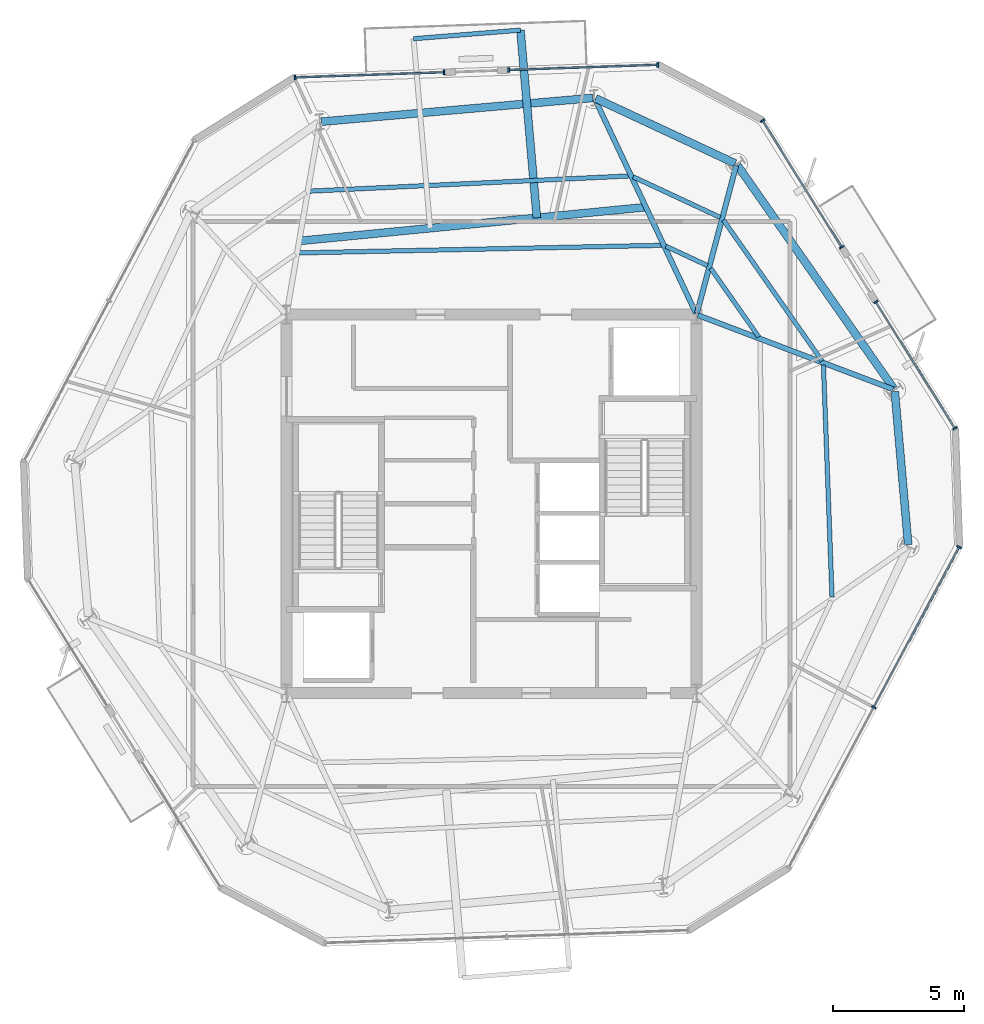
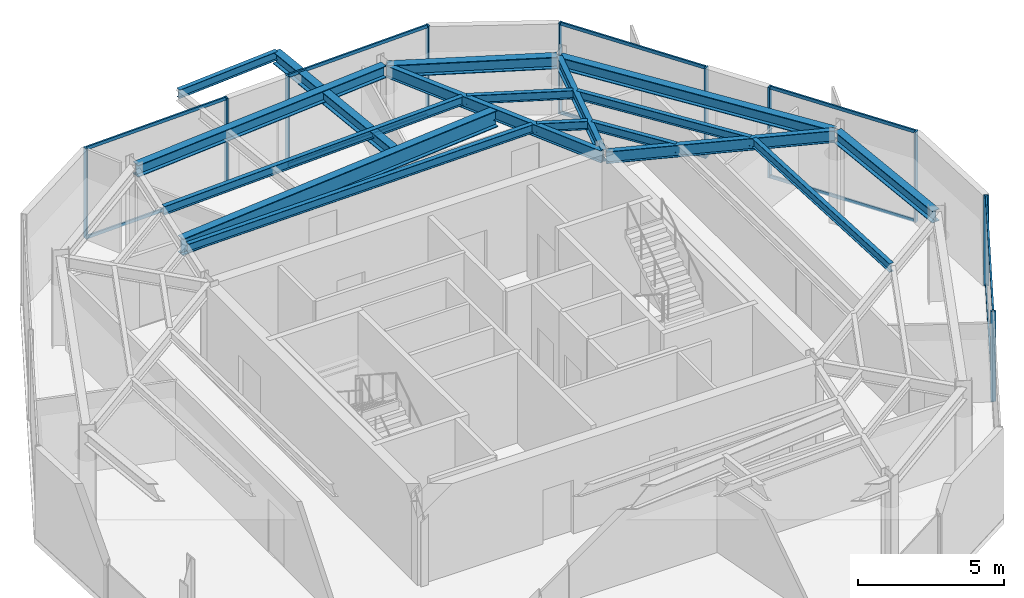
# One storey, part 4 of 11: 20 members, 17 beams, 5 elements without a shape of their own.
"""IFC4 building model written with IfcOpenShell, lengths in metres."""

from ifc_helpers import new_model, si_unit, direction, frame, origin, origin_2d, place, context, subcontext, project, spatial, rectangle, i_section, extrude, material, layer, layer_set, material_profile, profile_set, type_object, element, aggregate, save


model = new_model("IFC4")

# Units and contexts
model_context = context("Model", 3, precision=1e-05, world=origin(), true_north=direction((0.0, 1.0)))
body_context = subcontext(model_context, "Body", "Model", "MODEL_VIEW")
ifc_project = project(units=[si_unit("LENGTHUNIT", "METRE"), si_unit("AREAUNIT", "SQUARE_METRE"), si_unit("VOLUMEUNIT", "CUBIC_METRE"), si_unit("PLANEANGLEUNIT", "RADIAN"), si_unit("MASSUNIT", "GRAM", prefix="KILO")], contexts=[model_context])

# Site, building, storey
site_placement = place(None, origin())
site = spatial("IfcSite", under=ifc_project, at=site_placement, CompositionType="ELEMENT")
building_placement = place(site_placement, origin())
building = spatial("IfcBuilding", under=site, at=building_placement, Name="Kranzbogen Civic Tower", CompositionType="ELEMENT")
storey_placement = place(building_placement, frame((0.0, 0.0, 274.199951171875)))
storey = spatial("IfcBuildingStorey", under=building, at=storey_placement, Name="L66", CompositionType="ELEMENT", Elevation=274.199951171875)

# Curtain wall, members
ifc_material_1 = material(Name="Pale Anodised Aluminium", Category="aluminium")
ifc_layer = layer(ifc_material_1, 0.219970703125, Name="Pale Anodised Aluminium")
ifc_layer_set = layer_set([ifc_layer], Name="Pale Anodised Aluminium")
curtain_wall_type = type_object("IfcCurtainWallType", Name="Zone 4 Stick Curtain Wall System CW-05", PredefinedType="USERDEFINED", material=ifc_layer_set)
curtain_wall_1_placement = place(storey_placement, origin())
curtain_wall_1 = element("IfcCurtainWall", 1, at=curtain_wall_1_placement, inside=storey, type_object=curtain_wall_type, Name="L66 curtain wall CW-L66-F1-S1", ObjectType="STICK CURTAIN WALL", PredefinedType="USERDEFINED")
ifc_material_profile_1 = material_profile(ifc_material_1, rectangle(XDim=0.06494140625, YDim=0.179931640625, at=origin_2d()), Name="ALU-M 65x180")
ifc_profile_set_1 = profile_set([ifc_material_profile_1], Name="Pale Anodised Aluminium")
member_type_1 = type_object("IfcMemberType", Name="Curtain Wall Mullion ALU-M 65x180", PredefinedType="MULLION", material=ifc_profile_set_1)
member_1_placement = place(storey_placement, frame((31.322021484375, 41.701904296875, 0.0), z_axis=(0.0, 0.0, 1.0), x_axis=(-0.999390986249, -0.034894936667, 0.0)))
member_1 = element("IfcMember", 2, at=member_1_placement, type_object=member_type_1, Name="CW-05 mullion 1", PredefinedType="MULLION", context=body_context, shape_type="SweptSolid", body=[
    extrude(rectangle(XDim=0.06494140625, YDim=0.179931640625, at=origin_2d()), origin(), (0.0, 0.0, 1.0), 3.780029296875),
])
member_2_placement = place(storey_placement, frame((25.654052734375, 41.504150390625, 0.0), z_axis=(0.0, 0.0, 1.0), x_axis=(-0.999390986249, -0.034894936667, 0.0)))
member_2 = element("IfcMember", 3, at=member_2_placement, type_object=member_type_1, Name="CW-05 mullion 2", PredefinedType="MULLION", context=body_context, shape_type="SweptSolid", body=[
    extrude(rectangle(XDim=0.06494140625, YDim=0.179931640625, at=origin_2d()), origin(), (0.0, 0.0, 1.0), 3.780029296875),
])

curtain_wall_2_placement = place(storey_placement, origin())
curtain_wall_2 = element("IfcCurtainWall", 4, at=curtain_wall_2_placement, inside=storey, type_object=curtain_wall_type, Name="L66 curtain wall CW-L66-F1-S2", ObjectType="STICK CURTAIN WALL", PredefinedType="USERDEFINED")
member_3_placement = place(storey_placement, frame((23.195068359375, 41.41796875, 0.0), z_axis=(0.0, 0.0, 1.0), x_axis=(-0.999390773743, -0.034901022307, 0.0)))
member_3 = element("IfcMember", 5, at=member_3_placement, type_object=member_type_1, Name="CW-05 mullion 1", PredefinedType="MULLION", context=body_context, shape_type="SweptSolid", body=[
    extrude(rectangle(XDim=0.06494140625, YDim=0.179931640625, at=origin_2d()), origin(), (0.0, 0.0, 1.0), 3.780029296875),
])
member_4_placement = place(storey_placement, frame((17.528076171875, 41.219970703125, 0.0), z_axis=(0.0, 0.0, 1.0), x_axis=(-0.999390773743, -0.034901022307, 0.0)))
member_4 = element("IfcMember", 6, at=member_4_placement, type_object=member_type_1, Name="CW-05 mullion 2", PredefinedType="MULLION", context=body_context, shape_type="SweptSolid", body=[
    extrude(rectangle(XDim=0.06494140625, YDim=0.179931640625, at=origin_2d()), origin(), (0.0, 0.0, 1.0), 3.780029296875),
])

curtain_wall_3_placement = place(storey_placement, origin())
curtain_wall_3 = element("IfcCurtainWall", 7, at=curtain_wall_3_placement, inside=storey, type_object=curtain_wall_type, Name="L66 curtain wall CW-L66-F5", ObjectType="STICK CURTAIN WALL", PredefinedType="USERDEFINED")
member_5_placement = place(storey_placement, frame((39.54345703125, 17.26806640625, 0.0), z_axis=(0.0, 0.0, 1.0), x_axis=(0.469520855641, 0.882921381618, 0.0)))
member_5 = element("IfcMember", 8, at=member_5_placement, type_object=member_type_1, Name="CW-05 mullion 2", PredefinedType="MULLION", context=body_context, shape_type="SweptSolid", body=[
    extrude(rectangle(XDim=0.06494140625, YDim=0.179931640625, at=origin_2d()), origin(), (0.0, 0.0, 1.0), 3.780029296875),
])
member_6_placement = place(storey_placement, frame((42.783935546875, 23.361572265625, 0.0), z_axis=(0.0, 0.0, 1.0), x_axis=(0.469520855641, 0.882921381618, 0.0)))
member_6 = element("IfcMember", 9, at=member_6_placement, type_object=member_type_1, Name="CW-05 mullion 3", PredefinedType="MULLION", context=body_context, shape_type="SweptSolid", body=[
    extrude(rectangle(XDim=0.06494140625, YDim=0.179931640625, at=origin_2d()), origin(), (0.0, 0.0, 1.0), 3.780029296875),
])

curtain_wall_4_placement = place(storey_placement, origin())
curtain_wall_4 = element("IfcCurtainWall", 10, at=curtain_wall_4_placement, inside=storey, type_object=curtain_wall_type, Name="L66 curtain wall CW-L66-F6-S1", ObjectType="STICK CURTAIN WALL", PredefinedType="USERDEFINED")
member_7_placement = place(storey_placement, frame((42.626220703125, 27.87548828125, 0.0), z_axis=(0.0, 0.0, 1.0), x_axis=(-0.529983258898, 0.848008104494, 0.0)))
member_7 = element("IfcMember", 11, at=member_7_placement, type_object=member_type_1, Name="CW-05 mullion 1", PredefinedType="MULLION", context=body_context, shape_type="SweptSolid", body=[
    extrude(rectangle(XDim=0.06494140625, YDim=0.179931640625, at=origin_2d()), origin(), (0.0, 0.0, 1.0), 3.780029296875),
])
member_8_placement = place(storey_placement, frame((39.619873046875, 32.685546875, 0.0), z_axis=(0.0, 0.0, 1.0), x_axis=(-0.529983258898, 0.848008104494, 0.0)))
member_8 = element("IfcMember", 12, at=member_8_placement, type_object=member_type_1, Name="CW-05 mullion 2", PredefinedType="MULLION", context=body_context, shape_type="SweptSolid", body=[
    extrude(rectangle(XDim=0.06494140625, YDim=0.179931640625, at=origin_2d()), origin(), (0.0, 0.0, 1.0), 3.780029296875),
])

curtain_wall_5_placement = place(storey_placement, origin())
curtain_wall_5 = element("IfcCurtainWall", 13, at=curtain_wall_5_placement, inside=storey, type_object=curtain_wall_type, Name="L66 curtain wall CW-L66-F6-S2", ObjectType="STICK CURTAIN WALL", PredefinedType="USERDEFINED")
member_9_placement = place(storey_placement, frame((38.317138671875, 34.771484375, 0.0), z_axis=(0.0, 0.0, 1.0), x_axis=(-0.529983258898, 0.848008104494, 0.0)))
member_9 = element("IfcMember", 14, at=member_9_placement, type_object=member_type_1, Name="CW-05 mullion 1", PredefinedType="MULLION", context=body_context, shape_type="SweptSolid", body=[
    extrude(rectangle(XDim=0.06494140625, YDim=0.179931640625, at=origin_2d()), origin(), (0.0, 0.0, 1.0), 3.780029296875),
])
member_10_placement = place(storey_placement, frame((35.310791015625, 39.58154296875, 0.0), z_axis=(0.0, 0.0, 1.0), x_axis=(-0.529983258898, 0.848008104494, 0.0)))
member_10 = element("IfcMember", 15, at=member_10_placement, type_object=member_type_1, Name="CW-05 mullion 2", PredefinedType="MULLION", context=body_context, shape_type="SweptSolid", body=[
    extrude(rectangle(XDim=0.06494140625, YDim=0.179931640625, at=origin_2d()), origin(), (0.0, 0.0, 1.0), 3.780029296875),
])

# Member
ifc_material_profile_2 = material_profile(ifc_material_1, rectangle(XDim=0.06494140625, YDim=0.135009765625, at=origin_2d()), Name="ALU-T 65x135")
ifc_profile_set_2 = profile_set([ifc_material_profile_2], Name="Pale Anodised Aluminium")
member_type_2 = type_object("IfcMemberType", Name="Curtain Wall Transom ALU-T 65x135", PredefinedType="USERDEFINED", material=ifc_profile_set_2)
member_11_placement = place(storey_placement, frame((31.2919921875, 41.700927734375, 0.030029296875), z_axis=(-0.999391024392, -0.034893844213, 0.0), x_axis=(0.034893844213, -0.999391024392, 0.0)))
member_11 = element("IfcMember", 16, at=member_11_placement, type_object=member_type_2, Name="CW-05 transom 1.1", ObjectType="TRANSOM", PredefinedType="USERDEFINED", context=body_context, shape_type="SweptSolid", body=[
    extrude(rectangle(XDim=0.06494140625, YDim=0.135009765625, at=origin_2d()), origin(), (0.0, 0.0, 1.0), 5.611328125),
])

member_12_placement = place(storey_placement, frame((31.2919921875, 41.700927734375, 3.75), z_axis=(-0.999391024392, -0.034893844213, 0.0), x_axis=(0.034893844213, -0.999391024392, 0.0)))
member_12 = element("IfcMember", 17, at=member_12_placement, type_object=member_type_2, Name="CW-05 transom 1.2", ObjectType="TRANSOM", PredefinedType="USERDEFINED", context=body_context, shape_type="SweptSolid", body=[
    extrude(rectangle(XDim=0.06494140625, YDim=0.135009765625, at=origin_2d()), origin(), (0.0, 0.0, 1.0), 5.611328125),
])

aggregate(curtain_wall_1, [member_1, member_2, member_11, member_12])

member_13_placement = place(storey_placement, frame((23.1650390625, 41.4169921875, 0.030029296875), z_axis=(-0.999390865436, -0.034898396572, 0.0), x_axis=(0.034898396572, -0.999390865436, 0.0)))
member_13 = element("IfcMember", 18, at=member_13_placement, type_object=member_type_2, Name="CW-05 transom 1.1", ObjectType="TRANSOM", PredefinedType="USERDEFINED", context=body_context, shape_type="SweptSolid", body=[
    extrude(rectangle(XDim=0.06494140625, YDim=0.135009765625, at=origin_2d()), origin(), (0.0, 0.0, 1.0), 5.610595703125),
])

member_14_placement = place(storey_placement, frame((23.1650390625, 41.4169921875, 3.75), z_axis=(-0.999390865436, -0.034898396572, 0.0), x_axis=(0.034898396572, -0.999390865436, 0.0)))
member_14 = element("IfcMember", 19, at=member_14_placement, type_object=member_type_2, Name="CW-05 transom 1.2", ObjectType="TRANSOM", PredefinedType="USERDEFINED", context=body_context, shape_type="SweptSolid", body=[
    extrude(rectangle(XDim=0.06494140625, YDim=0.135009765625, at=origin_2d()), origin(), (0.0, 0.0, 1.0), 5.610595703125),
])

aggregate(curtain_wall_2, [member_3, member_4, member_13, member_14])

member_15_placement = place(storey_placement, frame((39.5576171875, 17.29443359375, 0.030029296875), z_axis=(0.469511769143, 0.882926213585, 0.0), x_axis=(-0.882926213585, 0.469511769143, 0.0)))
member_15 = element("IfcMember", 20, at=member_15_placement, type_object=member_type_2, Name="CW-05 transom 2.1", ObjectType="TRANSOM", PredefinedType="USERDEFINED", context=body_context, shape_type="SweptSolid", body=[
    extrude(rectangle(XDim=0.06494140625, YDim=0.135009765625, at=origin_2d()), origin(), (0.0, 0.0, 1.0), 6.841552734375),
])

member_16_placement = place(storey_placement, frame((39.5576171875, 17.29443359375, 3.75), z_axis=(0.469511769143, 0.882926213585, 0.0), x_axis=(-0.882926213585, 0.469511769143, 0.0)))
member_16 = element("IfcMember", 21, at=member_16_placement, type_object=member_type_2, Name="CW-05 transom 2.2", ObjectType="TRANSOM", PredefinedType="USERDEFINED", context=body_context, shape_type="SweptSolid", body=[
    extrude(rectangle(XDim=0.06494140625, YDim=0.135009765625, at=origin_2d()), origin(), (0.0, 0.0, 1.0), 6.841552734375),
])

aggregate(curtain_wall_3, [member_5, member_6, member_15, member_16])

member_17_placement = place(storey_placement, frame((42.610107421875, 27.90087890625, 0.030029296875), z_axis=(-0.529975478463, 0.848012967016, 0.0), x_axis=(-0.848012967016, -0.529975478463, 0.0)))
member_17 = element("IfcMember", 22, at=member_17_placement, type_object=member_type_2, Name="CW-05 transom 1.1", ObjectType="TRANSOM", PredefinedType="USERDEFINED", context=body_context, shape_type="SweptSolid", body=[
    extrude(rectangle(XDim=0.06494140625, YDim=0.135009765625, at=origin_2d()), origin(), (0.0, 0.0, 1.0), 5.6123046875),
])

member_18_placement = place(storey_placement, frame((42.610107421875, 27.90087890625, 3.75), z_axis=(-0.529975478463, 0.848012967016, 0.0), x_axis=(-0.848012967016, -0.529975478463, 0.0)))
member_18 = element("IfcMember", 23, at=member_18_placement, type_object=member_type_2, Name="CW-05 transom 1.2", ObjectType="TRANSOM", PredefinedType="USERDEFINED", context=body_context, shape_type="SweptSolid", body=[
    extrude(rectangle(XDim=0.06494140625, YDim=0.135009765625, at=origin_2d()), origin(), (0.0, 0.0, 1.0), 5.6123046875),
])

aggregate(curtain_wall_4, [member_7, member_8, member_17, member_18])

member_19_placement = place(storey_placement, frame((38.30126953125, 34.796875, 0.030029296875), z_axis=(-0.529975478463, 0.848012967016, 0.0), x_axis=(-0.848012967016, -0.529975478463, 0.0)))
member_19 = element("IfcMember", 24, at=member_19_placement, type_object=member_type_2, Name="CW-05 transom 1.1", ObjectType="TRANSOM", PredefinedType="USERDEFINED", context=body_context, shape_type="SweptSolid", body=[
    extrude(rectangle(XDim=0.06494140625, YDim=0.135009765625, at=origin_2d()), origin(), (0.0, 0.0, 1.0), 5.6123046875),
])

member_20_placement = place(storey_placement, frame((38.30126953125, 34.796875, 3.75), z_axis=(-0.529975478463, 0.848012967016, 0.0), x_axis=(-0.848012967016, -0.529975478463, 0.0)))
member_20 = element("IfcMember", 25, at=member_20_placement, type_object=member_type_2, Name="CW-05 transom 1.2", ObjectType="TRANSOM", PredefinedType="USERDEFINED", context=body_context, shape_type="SweptSolid", body=[
    extrude(rectangle(XDim=0.06494140625, YDim=0.135009765625, at=origin_2d()), origin(), (0.0, 0.0, 1.0), 5.6123046875),
])

aggregate(curtain_wall_5, [member_9, member_10, member_19, member_20])

# Beams
ifc_material_2 = material(Name="Steel S355", Category="steel")
ifc_material_profile_3 = material_profile(ifc_material_2, i_section(OverallWidth=0.300048828125, OverallDepth=0.5, WebThickness=0.014404296875, FlangeThickness=0.028076171875, at=origin_2d()), Name="HEB 500")
ifc_profile_set_3 = profile_set([ifc_material_profile_3], Name="Steel S355")
beam_type_1 = type_object("IfcBeamType", Name="Perimeter Tube Spandrel Beam HEB 500", PredefinedType="SPANDREL", material=ifc_profile_set_3)
beam_1_placement = place(storey_placement, frame((40.85009765625, 23.449951171875, 3.530029296875), z_axis=(-0.087326362434, 0.99617975608, 0.0), x_axis=(-0.99617975608, -0.087326362434, 0.0)))
element("IfcBeam", 26, at=beam_1_placement, inside=storey, type_object=beam_type_1, Name="L66 perimeter spandrel beam 06", PredefinedType="SPANDREL", context=body_context, shape_type="SweptSolid", body=[
    extrude(i_section(OverallWidth=0.300048828125, OverallDepth=0.5, WebThickness=0.014404296875, FlangeThickness=0.028076171875, at=origin_2d()), origin(), (0.0, 0.0, 1.0), 5.8515625),
])
beam_2_placement = place(storey_placement, frame((40.300048828125, 29.387939453125, 3.530029296875), z_axis=(-0.573577759301, 0.819151117948, 0.0), x_axis=(-0.819151117948, -0.573577759301, 0.0)))
element("IfcBeam", 27, at=beam_2_placement, inside=storey, type_object=beam_type_1, Name="L66 perimeter spandrel beam 07", PredefinedType="SPANDREL", context=body_context, shape_type="SweptSolid", body=[
    extrude(i_section(OverallWidth=0.300048828125, OverallDepth=0.5, WebThickness=0.014404296875, FlangeThickness=0.028076171875, at=origin_2d()), origin(), (0.0, 0.0, 1.0), 10.36328125),
])
beam_3_placement = place(storey_placement, frame((34.26806640625, 37.950927734375, 3.530029296875), z_axis=(-0.906289661556, 0.422657129784, 0.0), x_axis=(-0.422657129784, -0.906289661556, 0.0)))
element("IfcBeam", 28, at=beam_3_placement, inside=storey, type_object=beam_type_1, Name="L66 perimeter spandrel beam 08", PredefinedType="SPANDREL", context=body_context, shape_type="SweptSolid", body=[
    extrude(i_section(OverallWidth=0.300048828125, OverallDepth=0.5, WebThickness=0.014404296875, FlangeThickness=0.028076171875, at=origin_2d()), origin(), (0.0, 0.0, 1.0), 5.853759765625),
])
beam_4_placement = place(storey_placement, frame((28.84912109375, 40.445068359375, 3.530029296875), z_axis=(-0.996186373839, -0.087250837114, 0.0), x_axis=(0.087250837114, -0.996186373839, 0.0)))
element("IfcBeam", 29, at=beam_4_placement, inside=storey, type_object=beam_type_1, Name="L66 perimeter spandrel beam 09", PredefinedType="SPANDREL", context=body_context, shape_type="SweptSolid", body=[
    extrude(i_section(OverallWidth=0.300048828125, OverallDepth=0.5, WebThickness=0.014404296875, FlangeThickness=0.028076171875, at=origin_2d()), origin(), (0.0, 0.0, 1.0), 10.361572265625),
])
beam_5_placement = place(storey_placement, frame((26.72412109375, 35.885009765625, 3.5), z_axis=(-0.087214705946, 0.996189537722, 0.0), x_axis=(-0.996189537722, -0.087214705946, 0.0)))
element("IfcBeam", 30, at=beam_5_placement, inside=storey, type_object=beam_type_1, Name="L67 back-spanned terrace beam L67-TB1-1", PredefinedType="SPANDREL", context=body_context, shape_type="SweptSolid", body=[
    extrude(i_section(OverallWidth=0.300048828125, OverallDepth=0.5, WebThickness=0.014404296875, FlangeThickness=0.028076171875, at=origin_2d()), origin(), (0.0, 0.0, 1.0), 7.166259765625),
])
ifc_material_profile_4 = material_profile(ifc_material_2, i_section(OverallWidth=0.300048828125, OverallDepth=0.699951171875, WebThickness=0.01708984375, FlangeThickness=0.031982421875, at=origin_2d()), Name="HEB 700")
ifc_profile_set_4 = profile_set([ifc_material_profile_4], Name="Steel S355")
beam_type_2 = type_object("IfcBeamType", Name="Perimeter Tube Spandrel Beam HEB 700", PredefinedType="SPANDREL", material=ifc_profile_set_4)
beam_6_placement = place(storey_placement, frame((30.87109375, 36.2900390625, 3.400146484375), z_axis=(-0.995270463506, -0.097142701589, 0.0), x_axis=(0.097142701589, -0.995270463506, 0.0)))
element("IfcBeam", 31, at=beam_6_placement, inside=storey, type_object=beam_type_2, Name="L67 balcony back-span header girder L67-TB1", PredefinedType="SPANDREL", context=body_context, shape_type="SweptSolid", body=[
    extrude(i_section(OverallWidth=0.300048828125, OverallDepth=0.699951171875, WebThickness=0.01708984375, FlangeThickness=0.031982421875, at=origin_2d()), origin(), (0.0, 0.0, 1.0), 13.249755859375),
])
ifc_material_profile_5 = material_profile(ifc_material_2, i_section(OverallWidth=0.199951171875, OverallDepth=0.5, WebThickness=0.01025390625, FlangeThickness=0.01611328125, at=origin_2d()), Name="IPE 500")
ifc_profile_set_5 = profile_set([ifc_material_profile_5], Name="Steel S355")
beam_type_3 = type_object("IfcBeamType", Name="Radial Tower Floor Girder IPE 500", PredefinedType="BEAM", material=ifc_profile_set_5)
beam_7_placement = place(storey_placement, frame((40.278076171875, 29.360107421875, 3.530029296875), z_axis=(-0.934848709689, 0.355046320913, 0.0), x_axis=(-0.355046320913, -0.934848709689, 0.0)))
element("IfcBeam", 32, at=beam_7_placement, inside=storey, type_object=beam_type_3, Name="L66 radial floor girder 07", PredefinedType="BEAM", context=body_context, shape_type="SweptSolid", body=[
    extrude(i_section(OverallWidth=0.199951171875, OverallDepth=0.5, WebThickness=0.01025390625, FlangeThickness=0.01611328125, at=origin_2d()), origin(), (0.0, 0.0, 1.0), 7.939453125),
])
beam_8_placement = place(storey_placement, frame((34.306884765625, 37.867919921875, 3.530029296875), z_axis=(-0.257016017622, -0.966407143333, 0.0), x_axis=(0.966407143333, -0.257016017622, 0.0)))
element("IfcBeam", 33, at=beam_8_placement, inside=storey, type_object=beam_type_3, Name="L66 radial floor girder 08", PredefinedType="BEAM", context=body_context, shape_type="SweptSolid", body=[
    extrude(i_section(OverallWidth=0.199951171875, OverallDepth=0.5, WebThickness=0.01025390625, FlangeThickness=0.01611328125, at=origin_2d()), origin(), (0.0, 0.0, 1.0), 5.804931640625),
])
beam_9_placement = place(storey_placement, frame((28.93505859375, 40.39599609375, 3.530029296875), z_axis=(0.426460441273, -0.904506214478, 0.0), x_axis=(0.904506214478, 0.426460441273, 0.0)))
element("IfcBeam", 34, at=beam_9_placement, inside=storey, type_object=beam_type_3, Name="L66 radial floor girder 09", PredefinedType="BEAM", context=body_context, shape_type="SweptSolid", body=[
    extrude(i_section(OverallWidth=0.199951171875, OverallDepth=0.5, WebThickness=0.01025390625, FlangeThickness=0.01611328125, at=origin_2d()), origin(), (0.0, 0.0, 1.0), 9.001708984375),
])
ifc_material_profile_6 = material_profile(ifc_material_2, i_section(OverallWidth=0.169921875, OverallDepth=0.360107421875, WebThickness=0.008056640625, FlangeThickness=0.0126953125, at=origin_2d()), Name="IPE 360")
ifc_profile_set_6 = profile_set([ifc_material_profile_6], Name="Steel S355")
beam_type_4 = type_object("IfcBeamType", Name="Secondary Composite Floor Joist IPE 360", PredefinedType="JOIST", material=ifc_profile_set_6)
beam_10_placement = place(storey_placement, frame((37.951904296875, 21.4580078125, 3.60009765625), z_axis=(-0.036992246074, 0.999315552631, 0.0), x_axis=(-0.999315552631, -0.036992246074, 0.0)))
element("IfcBeam", 35, at=beam_10_placement, inside=storey, type_object=beam_type_4, Name="L66 secondary floor joist 1.06", PredefinedType="JOIST", context=body_context, shape_type="SweptSolid", body=[
    extrude(i_section(OverallWidth=0.169921875, OverallDepth=0.360107421875, WebThickness=0.008056640625, FlangeThickness=0.0126953125, at=origin_2d()), origin(), (0.0, 0.0, 1.0), 8.837158203125),
])
beam_11_placement = place(storey_placement, frame((37.575927734375, 30.43408203125, 3.60009765625), z_axis=(-0.573499872939, 0.819205649235, 0.0), x_axis=(-0.819205649235, -0.573499872939, 0.0)))
element("IfcBeam", 36, at=beam_11_placement, inside=storey, type_object=beam_type_4, Name="L66 secondary floor joist 1.07", PredefinedType="JOIST", context=body_context, shape_type="SweptSolid", body=[
    extrude(i_section(OverallWidth=0.169921875, OverallDepth=0.360107421875, WebThickness=0.008056640625, FlangeThickness=0.0126953125, at=origin_2d()), origin(), (0.0, 0.0, 1.0), 6.549072265625),
])
beam_12_placement = place(storey_placement, frame((35.1650390625, 31.35009765625, 3.60009765625), z_axis=(-0.573498248491, 0.819206786457, 0.0), x_axis=(-0.819206786457, -0.573498248491, 0.0)))
element("IfcBeam", 37, at=beam_12_placement, inside=storey, type_object=beam_type_4, Name="L66 secondary floor joist 2.07", PredefinedType="JOIST", context=body_context, shape_type="SweptSolid", body=[
    extrude(i_section(OverallWidth=0.169921875, OverallDepth=0.360107421875, WebThickness=0.008056640625, FlangeThickness=0.0126953125, at=origin_2d()), origin(), (0.0, 0.0, 1.0), 3.194580078125),
])
beam_13_placement = place(storey_placement, frame((33.701904296875, 35.89794921875, 3.60009765625), z_axis=(-0.906303996948, 0.422626389517, 0.0), x_axis=(-0.422626389517, -0.906303996948, 0.0)))
element("IfcBeam", 38, at=beam_13_placement, inside=storey, type_object=beam_type_4, Name="L66 secondary floor joist 1.08", PredefinedType="JOIST", context=body_context, shape_type="SweptSolid", body=[
    extrude(i_section(OverallWidth=0.169921875, OverallDepth=0.360107421875, WebThickness=0.008056640625, FlangeThickness=0.0126953125, at=origin_2d()), origin(), (0.0, 0.0, 1.0), 3.6630859375),
])
beam_14_placement = place(storey_placement, frame((33.215087890625, 34.06591796875, 3.60009765625), z_axis=(-0.906432174342, 0.422351409751, 0.0), x_axis=(-0.422351409751, -0.906432174342, 0.0)))
element("IfcBeam", 39, at=beam_14_placement, inside=storey, type_object=beam_type_4, Name="L66 secondary floor joist 2.08", PredefinedType="JOIST", context=body_context, shape_type="SweptSolid", body=[
    extrude(i_section(OverallWidth=0.169921875, OverallDepth=0.360107421875, WebThickness=0.008056640625, FlangeThickness=0.0126953125, at=origin_2d()), origin(), (0.0, 0.0, 1.0), 1.751953125),
])
beam_15_placement = place(storey_placement, frame((30.22998046875, 37.47607421875, 3.60009765625), z_axis=(-0.998871634781, -0.047491654324, 0.0), x_axis=(0.047491654324, -0.998871634781, 0.0)))
element("IfcBeam", 40, at=beam_15_placement, inside=storey, type_object=beam_type_4, Name="L66 secondary floor joist 1.09", PredefinedType="JOIST", context=body_context, shape_type="SweptSolid", body=[
    extrude(i_section(OverallWidth=0.169921875, OverallDepth=0.360107421875, WebThickness=0.008056640625, FlangeThickness=0.0126953125, at=origin_2d()), origin(), (0.0, 0.0, 1.0), 12.152587890625),
])
beam_16_placement = place(storey_placement, frame((31.47509765625, 34.837890625, 3.60009765625), z_axis=(-0.999780746893, -0.020939392104, 0.0), x_axis=(0.020939392104, -0.999780746893, 0.0)))
element("IfcBeam", 41, at=beam_16_placement, inside=storey, type_object=beam_type_4, Name="L66 secondary floor joist 2.09", PredefinedType="JOIST", context=body_context, shape_type="SweptSolid", body=[
    extrude(i_section(OverallWidth=0.169921875, OverallDepth=0.360107421875, WebThickness=0.008056640625, FlangeThickness=0.0126953125, at=origin_2d()), origin(), (0.0, 0.0, 1.0), 13.79296875),
])
beam_17_placement = place(storey_placement, frame((26.09912109375, 43.02392578125, 3.570068359375), z_axis=(-0.996763103983, -0.080394741976, 0.0), x_axis=(0.080394741976, -0.996763103983, 0.0)))
element("IfcBeam", 42, at=beam_17_placement, inside=storey, type_object=beam_type_4, Name="L67 terrace outer edge trimmer L67-TB1", PredefinedType="JOIST", context=body_context, shape_type="SweptSolid", body=[
    extrude(i_section(OverallWidth=0.169921875, OverallDepth=0.360107421875, WebThickness=0.008056640625, FlangeThickness=0.0126953125, at=origin_2d()), origin(), (0.0, 0.0, 1.0), 4.078369140625),
])

save(model, "model.ifc")
